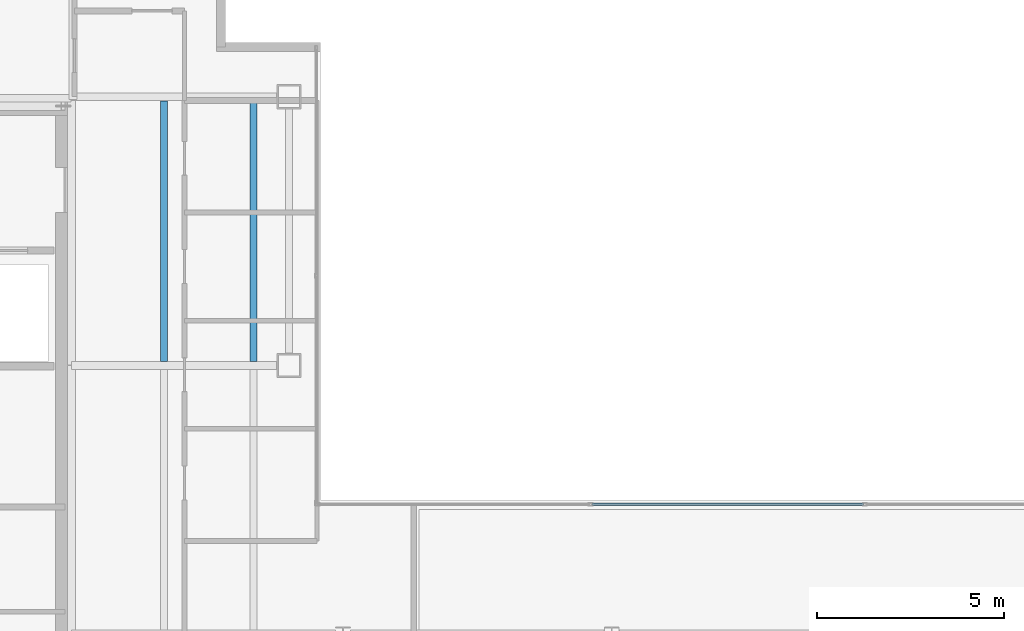
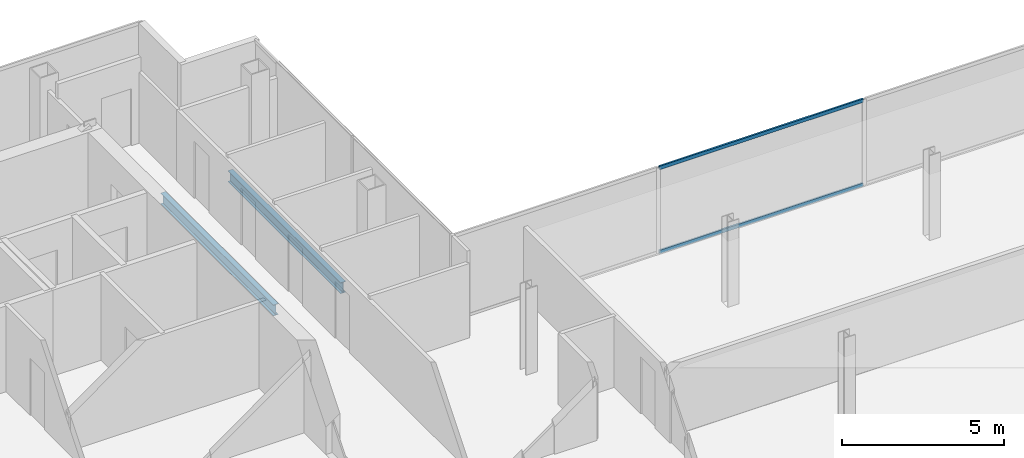
# One storey, part 10 of 23: 2 beams, 2 members, 1 element without a shape of its own.
"""IFC4 building model written with IfcOpenShell, lengths in metres."""

from ifc_helpers import new_model, si_unit, direction, frame, origin, origin_2d, place, context, subcontext, project, spatial, hollow_rectangle, i_section, extrude, material, material_profile, profile_set, type_object, element, aggregate, save


model = new_model("IFC4")

# Units and contexts
model_context = context("Model", 3, precision=1e-05, world=origin(), true_north=direction((0.0, 1.0)))
body_context = subcontext(model_context, "Body", "Model", "MODEL_VIEW")
ifc_project = project(units=[si_unit("LENGTHUNIT", "METRE"), si_unit("AREAUNIT", "SQUARE_METRE"), si_unit("VOLUMEUNIT", "CUBIC_METRE"), si_unit("PLANEANGLEUNIT", "RADIAN"), si_unit("MASSUNIT", "GRAM", prefix="KILO")], contexts=[model_context])

# Site, building, storey
site_placement = place(None, origin())
site = spatial("IfcSite", under=ifc_project, at=site_placement, CompositionType="ELEMENT")
building_placement = place(site_placement, origin())
building = spatial("IfcBuilding", under=site, at=building_placement, Name="Cobrela Telecom Tower", CompositionType="ELEMENT")
storey_placement = place(building_placement, frame((0.0, 0.0, 251.64990234375)))
storey = spatial("IfcBuildingStorey", under=building, at=storey_placement, Name="L65", CompositionType="ELEMENT", Elevation=251.64990234375)

# Beams
ifc_material_1 = material(Name="Steel ASTM A992 Grade 50", Category="steel")
ifc_material_profile_1 = material_profile(ifc_material_1, i_section(OverallWidth=0.179931640625, OverallDepth=0.4169921875, WebThickness=0.010986328125, FlangeThickness=0.01806640625, FilletRadius=0.011962890625, at=origin_2d()), Name="W16X57")
ifc_profile_set_1 = profile_set([ifc_material_profile_1], Name="Steel ASTM A992 Grade 50")
beam_type = type_object("IfcBeamType", Name="BM-JOIST-04", PredefinedType="JOIST", material=ifc_profile_set_1)
for number, where, z_axis, x_axis, name in (
    (1, (16.800048828125, 28.91162109375, -0.468505859375), (0.0, 1.0, 0.0), (-1.0, 0.0, 0.0), "L65 Secondary Composite Floor Beam J03"),
    (2, (19.199951171875, 28.91162109375, -0.468505859375), (0.0, 1.0, 0.0), (-1.0, 0.0, 0.0), "L65 Secondary Composite Floor Beam J06"),
):
    element("IfcBeam", number, at=place(storey_placement, frame(where, z_axis=z_axis, x_axis=x_axis)), inside=storey, type_object=beam_type, Name=name, PredefinedType="JOIST", context=body_context, shape_type="SweptSolid", body=[
        extrude(i_section(OverallWidth=0.179931640625, OverallDepth=0.4169921875, WebThickness=0.010986328125, FlangeThickness=0.01806640625, FilletRadius=0.011962890625, at=origin_2d()), origin(), (0.0, 0.0, 1.0), 6.976806640625),
    ])

# Curtain wall, members
ifc_material_2 = material(Name="Anodized Bronze Aluminium 6063-T6", Category="aluminium")
curtain_wall_type = type_object("IfcCurtainWallType", Name="CW-SYS-OFF-HI", PredefinedType="USERDEFINED", material=ifc_material_2)
curtain_wall_placement = place(storey_placement, origin())
curtain_wall = element("IfcCurtainWall", 3, at=curtain_wall_placement, inside=storey, type_object=curtain_wall_type, Name="L65 Unitised Bronze Curtain Wall 09", ObjectType="UNITISED CURTAIN WALL", PredefinedType="USERDEFINED")
ifc_material_profile_2 = material_profile(ifc_material_2, hollow_rectangle(XDim=0.06494140625, YDim=0.1298828125, WallThickness=0.00390625, at=origin_2d()), Name="ALU 65x130x4")
ifc_profile_set_2 = profile_set([ifc_material_profile_2], Name="Anodized Bronze Aluminium 6063-T6")
member_type = type_object("IfcMemberType", Name="CW-SYS-OFF-HI-TRN", PredefinedType="USERDEFINED", material=ifc_profile_set_2)
member_1_placement = place(storey_placement, frame((28.264892578125, 25.080078125, 0.03271484375), z_axis=(1.0, 0.0, 0.0), x_axis=(0.0, 1.0, 0.0)))
member_1 = element("IfcMember", 4, at=member_1_placement, type_object=member_type, Name="CW-OFF-HI transom 2.1", ObjectType="TRANSOM", PredefinedType="USERDEFINED", context=body_context, shape_type="SweptSolid", body=[
    extrude(hollow_rectangle(XDim=0.06494140625, YDim=0.1298828125, WallThickness=0.00390625, at=origin_2d()), origin(), (0.0, 0.0, 1.0), 7.280029296875),
])
member_2_placement = place(storey_placement, frame((28.264892578125, 25.080078125, 3.20751953125), z_axis=(1.0, 0.0, 0.0), x_axis=(0.0, 1.0, 0.0)))
member_2 = element("IfcMember", 5, at=member_2_placement, type_object=member_type, Name="CW-OFF-HI transom 2.2", ObjectType="TRANSOM", PredefinedType="USERDEFINED", context=body_context, shape_type="SweptSolid", body=[
    extrude(hollow_rectangle(XDim=0.06494140625, YDim=0.1298828125, WallThickness=0.00390625, at=origin_2d()), origin(), (0.0, 0.0, 1.0), 7.280029296875),
])
aggregate(curtain_wall, [member_1, member_2])

save(model, "model.ifc")
